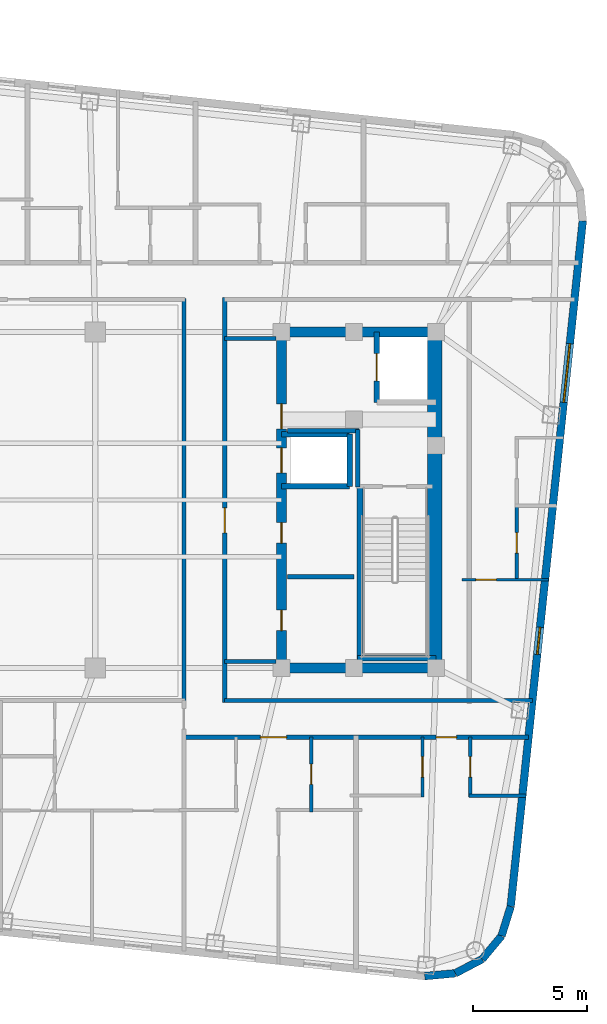
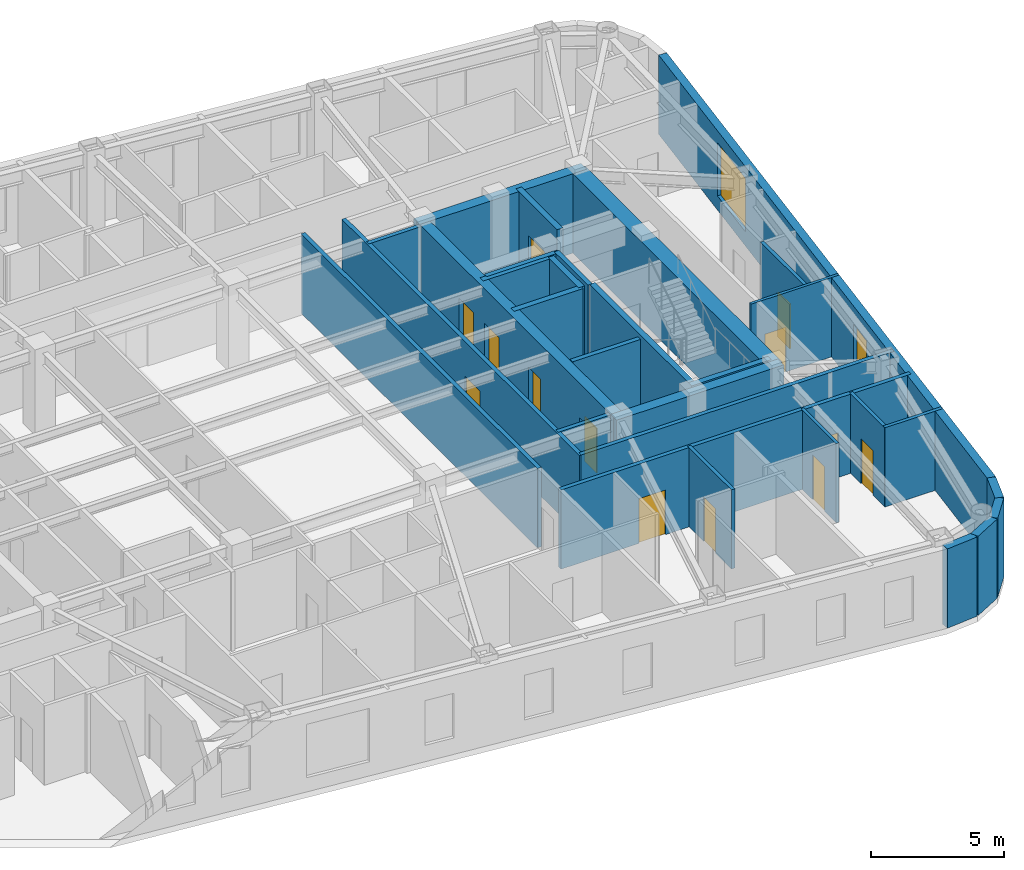
# One storey, part 6 of 11: 30 walls, 13 doors, 2 windows, 15 openings.
"""IFC4 building model written with IfcOpenShell, lengths in metres."""

import ifcopenshell
import ifcopenshell.guid

model = None  # the IFC model being written
_history = None  # IfcOwnerHistory: only IFC2X3 demands one
_inside = {}  # id of a spatial element -> (the spatial element, [elements in it])
_under = {}  # id of a project, library or spatial element -> (it, [spatial elements below it])
_declared = {}  # id of a project -> (the project, [libraries it declares])
_typed = {}  # id of a type object -> (the type object, [elements of that type])
_made_of = {}  # id of a material, layer set ... -> (it, [elements and type objects made of it])


def new_model(schema):
    """Start an empty IFC model of exactly this schema.

    Asked for "IFC4X3", IfcOpenShell would pick the latest addendum, in which some entities
    have other attributes; the version numbers below select the first issue.
    IFC2X3 requires an IfcOwnerHistory on every rooted entity: one is made here for all.
    """
    global model, _history
    if schema == "IFC4X3":
        model = ifcopenshell.file(schema_version=(4, 3, 0, 0))
    else:
        model = ifcopenshell.file(schema=schema)
    _inside.clear()
    _under.clear()
    _declared.clear()
    _typed.clear()
    _made_of.clear()
    _history = None
    if model.schema == "IFC2X3":
        org = make("IfcOrganization", Name="unknown")
        user = make(
            "IfcPersonAndOrganization",
            ThePerson=make("IfcPerson", FamilyName="unknown"),
            TheOrganization=org,
        )
        app = make(
            "IfcApplication",
            ApplicationDeveloper=org,
            Version="unknown",
            ApplicationFullName="unknown",
            ApplicationIdentifier="unknown",
        )
        _history = make(
            "IfcOwnerHistory",
            OwningUser=user,
            OwningApplication=app,
            ChangeAction="ADDED",
            CreationDate=0,
        )
    return model


def make(cls, **values):
    """One entity of the class cls with the attributes given. An attribute that is None is left unset."""
    return model.create_entity(
        cls, **{name: value for name, value in values.items() if value is not None}
    )


def rooted(cls, **values):
    """An entity with a GlobalId (a new one), such as an element, a storey or a relation."""
    return make(cls, GlobalId=ifcopenshell.guid.new(), OwnerHistory=_history, **values)


def si_unit(unit_type, name, prefix=None):
    """IfcSIUnit, for example si_unit("LENGTHUNIT", "METRE", prefix="MILLI")."""
    return make("IfcSIUnit", UnitType=unit_type, Prefix=prefix, Name=name)


def assignment(units):
    """IfcUnitAssignment: the units of a project."""
    return None if units is None else make("IfcUnitAssignment", Units=units)


def point(xyz):
    """IfcCartesianPoint."""
    return None if xyz is None else make("IfcCartesianPoint", Coordinates=xyz)


def direction(xyz):
    """IfcDirection."""
    return None if xyz is None else make("IfcDirection", DirectionRatios=xyz)


def frame(location, z_axis=None, x_axis=None):
    """IfcAxis2Placement3D, a coordinate frame: its origin and axes. An axis left out is left unset."""
    return make(
        "IfcAxis2Placement3D",
        Location=point(location),
        Axis=direction(z_axis),
        RefDirection=direction(x_axis),
    )


def frame_2d(location, x_axis=None):
    """IfcAxis2Placement2D, a coordinate frame in the plane: its origin and x axis."""
    return make(
        "IfcAxis2Placement2D", Location=point(location), RefDirection=direction(x_axis)
    )


def origin():
    """The frame at (0, 0, 0) with its axes left unset."""
    return frame((0.0, 0.0, 0.0))


def place(relative_to, where):
    """IfcLocalPlacement: puts the frame where relative to a parent placement (None: the world)."""
    return make(
        "IfcLocalPlacement", PlacementRelTo=relative_to, RelativePlacement=where
    )


def context(
    kind, dimensions, precision=None, world=None, true_north=None, identifier=None
):
    """IfcGeometricRepresentationContext, for example the 3D "Model" context."""
    return make(
        "IfcGeometricRepresentationContext",
        ContextIdentifier=identifier,
        ContextType=kind,
        CoordinateSpaceDimension=dimensions,
        Precision=precision,
        WorldCoordinateSystem=world,
        TrueNorth=true_north,
    )


def subcontext(parent, identifier, kind, view, scale=None):
    """IfcGeometricRepresentationSubContext, for example "Body" below "Model"."""
    return make(
        "IfcGeometricRepresentationSubContext",
        ContextIdentifier=identifier,
        ContextType=kind,
        ParentContext=parent,
        TargetScale=scale,
        TargetView=view,
    )


def project(units=None, contexts=None):
    """IfcProject with its units and contexts."""
    return rooted(
        "IfcProject",
        Name="project",
        RepresentationContexts=contexts,
        UnitsInContext=assignment(units),
    )


def spatial(cls, under=None, at=None, **own):
    """A site, building, storey or space (cls), placed at a placement, below another one or the project."""
    s = rooted(cls, ObjectPlacement=at, **own)
    if under is not None:
        _under.setdefault(under.id(), (under, []))[1].append(s)
    return s


def profile(cls, at=None, kind="AREA", **sizes):
    """A parametric profile (cls). Its sizes go by their IFC names, for example OverallWidth=200.0."""
    return make(cls, ProfileType=kind, Position=at, **sizes)


def rectangle(**sizes):
    """IfcRectangleProfileDef."""
    return profile("IfcRectangleProfileDef", **sizes)


def extrude(swept, where, along, depth):
    """IfcExtrudedAreaSolid: the profile swept, set in the frame where, extruded along a direction by depth."""
    return make(
        "IfcExtrudedAreaSolid",
        SweptArea=swept,
        Position=where,
        ExtrudedDirection=direction(along),
        Depth=depth,
    )


def shape(context_of_items, identifier, shape_type, items):
    """IfcShapeRepresentation: the items that make up one representation, for example the "Body"."""
    return make(
        "IfcShapeRepresentation",
        ContextOfItems=context_of_items,
        RepresentationIdentifier=identifier,
        RepresentationType=shape_type,
        Items=items,
    )


def material(Name=None, Category=None):
    """IfcMaterial."""
    return make("IfcMaterial", Name=Name, Category=Category)


def layer(
    of_material, thickness, ventilated=None, Name=None, Category=None, Priority=None
):
    """IfcMaterialLayer: one layer of a wall or slab, of a material (None: an air gap)."""
    return make(
        "IfcMaterialLayer",
        Material=of_material,
        LayerThickness=thickness,
        IsVentilated=ventilated,
        Name=Name,
        Category=Category,
        Priority=Priority,
    )


def layer_set(layers, Name=None):
    """IfcMaterialLayerSet."""
    return make("IfcMaterialLayerSet", MaterialLayers=layers, LayerSetName=Name)


def made_of(thing, what):
    """Note that an element or type object is made of a material, layer set ...; save() writes the relation."""
    if what is not None:
        _made_of.setdefault(what.id(), (what, []))[1].append(thing)
    return thing


def type_object(cls, material=None, **own):
    """A type object (cls), such as IfcWallType, which elements share."""
    return made_of(rooted(cls, **own), material)


def element(
    cls,
    number,
    at=None,
    inside=None,
    cuts=None,
    type_object=None,
    material=None,
    context=None,
    identifier="Body",
    shape_type=None,
    held_by="IfcProductDefinitionShape",
    body=None,
    shapes=None,
    **own,
):
    """One element of the class cls, such as IfcWall. Its Tag is "e" and its number.

    at: its placement. inside: the storey or other place that contains it. cuts: it is an
    opening in that element (IfcRelVoidsElement). A single representation is given by context,
    identifier, shape_type and body (its items); several are given by shapes. held_by: the class
    of the entity that holds the representations. save() writes the other relations.
    """
    e = rooted(cls, Tag="e%d" % number, ObjectPlacement=at, **own)
    if body is not None:
        shapes = [shape(context, identifier, shape_type, body)]
    if shapes is not None:
        e.Representation = make(held_by, Representations=shapes)
    if inside is not None:
        _inside.setdefault(inside.id(), (inside, []))[1].append(e)
    if cuts is not None:
        rooted(
            "IfcRelVoidsElement", RelatingBuildingElement=cuts, RelatedOpeningElement=e
        )
    if type_object is not None:
        _typed.setdefault(type_object.id(), (type_object, []))[1].append(e)
    return made_of(e, material)


def fill(opening, filler):
    """IfcRelFillsElement: the door or window that sits in an opening."""
    return rooted(
        "IfcRelFillsElement",
        RelatingOpeningElement=opening,
        RelatedBuildingElement=filler,
    )


def aggregate(whole, parts):
    """IfcRelAggregates: a whole, such as a stair, and the parts it consists of."""
    return rooted("IfcRelAggregates", RelatingObject=whole, RelatedObjects=parts)


def save(model, path):
    """Write the relations noted so far, then the file.

    IfcRelAggregates (storeys below a building ...), IfcRelContainedInSpatialStructure (elements
    in a storey), IfcRelDefinesByType, IfcRelAssociatesMaterial and IfcRelDeclares: one each for
    every whole, place, type object, material and project.
    """
    for whole, parts in _under.values():
        aggregate(whole, parts)
    for where, things in _inside.values():
        rooted(
            "IfcRelContainedInSpatialStructure",
            RelatedElements=things,
            RelatingStructure=where,
        )
    for kind, things in _typed.values():
        rooted("IfcRelDefinesByType", RelatedObjects=things, RelatingType=kind)
    for what, things in _made_of.values():
        rooted("IfcRelAssociatesMaterial", RelatedObjects=things, RelatingMaterial=what)
    for by, libraries in _declared.values():
        rooted("IfcRelDeclares", RelatingContext=by, RelatedDefinitions=libraries)
    model.write(path)


model = new_model("IFC4")

# Units and contexts
model_context = context("Model", 3, precision=1e-05, world=origin(), true_north=direction((0.0, 1.0)))
body_context = subcontext(model_context, "Body", "Model", "MODEL_VIEW")
ifc_project = project(units=[si_unit("LENGTHUNIT", "METRE"), si_unit("AREAUNIT", "SQUARE_METRE"), si_unit("VOLUMEUNIT", "CUBIC_METRE"), si_unit("PLANEANGLEUNIT", "RADIAN"), si_unit("MASSUNIT", "GRAM", prefix="KILO")], contexts=[model_context])

# Site, building, storey
site_placement = place(None, origin())
site = spatial("IfcSite", under=ifc_project, at=site_placement, CompositionType="ELEMENT")
building_placement = place(site_placement, origin())
building = spatial("IfcBuilding", under=site, at=building_placement, Name="Voryun Gate Residences", CompositionType="ELEMENT")
storey_placement = place(building_placement, frame((0.0, 0.0, 302.89990234375)))
storey = spatial("IfcBuildingStorey", under=building, at=storey_placement, Name="L75", CompositionType="ELEMENT", Elevation=302.89990234375)

# Walls
ifc_material_1 = material(Name="Concrete C50/60", Category="concrete")
ifc_layer_1 = layer(ifc_material_1, 0.449951171875, Name="CW_CORE_450")
ifc_layer_set_1 = layer_set([ifc_layer_1], Name="Concrete C50/60")
wall_type_1 = type_object("IfcWallType", Name="CW_CORE_450", PredefinedType="SHEAR", material=ifc_layer_set_1)
for number, where, z_axis, x_axis, name in (
    (1, (12.175048828125, -7.39990234375, 0.0), (0.0, 0.0, 1.0), (1.0, 0.0, 0.0), "L75 Core shear wall CW-L75-ES"),
    (2, (12.175048828125, 7.39990234375, 0.0), (0.0, 0.0, 1.0), (1.0, 0.0, 0.0), "L75 Core shear wall CW-L75-EN"),
):
    element("IfcWall", number, at=place(storey_placement, frame(where, z_axis=z_axis, x_axis=x_axis)), inside=storey, type_object=wall_type_1, Name=name, PredefinedType="SHEAR", context=body_context, shape_type="SweptSolid", body=[
        extrude(rectangle(XDim=7.25, YDim=0.449951171875, at=frame_2d((3.625, 0.0))), origin(), (0.0, 0.0, 1.0), 3.635009765625),
    ])

# Wall, openings, doors
wall_1_placement = place(storey_placement, frame((12.39990234375, -7.39990234375, 0.0), z_axis=(0.0, 0.0, 1.0), x_axis=(0.0, 1.0, 0.0)))
wall_1 = element("IfcWall", 3, at=wall_1_placement, inside=storey, type_object=wall_type_1, Name="L75 Core shear wall CW-L75-EW", PredefinedType="SHEAR", context=body_context, shape_type="SweptSolid", body=[
    extrude(rectangle(XDim=14.7998046875, YDim=0.449951171875, at=frame_2d((7.39990234375, 0.0))), origin(), (0.0, 0.0, 1.0), 3.635009765625),
])
opening_1_placement = place(wall_1_placement, frame((8.60009765625, 0.0, 0.0)))
opening_1 = element("IfcOpeningElement", 4, at=opening_1_placement, cuts=wall_1, Name="Opening LD2", PredefinedType="OPENING", context=body_context, shape_type="SweptSolid", body=[
    extrude(rectangle(XDim=1.10009765625, YDim=2.050048828125, at=frame_2d((0.550048828125, 1.02490234375))), frame((0.0, 0.235107421875, 0.0), z_axis=(0.0, -1.0, 0.0), x_axis=(1.0, 0.0, 0.0)), (0.0, 0.0, 1.0), 0.469970703125),
])
opening_2_placement = place(wall_1_placement, frame((10.530029296875, 0.0, 0.0)))
opening_2 = element("IfcOpeningElement", 5, at=opening_2_placement, cuts=wall_1, Name="Opening D-FD60-2", PredefinedType="OPENING", context=body_context, shape_type="SweptSolid", body=[
    extrude(rectangle(XDim=1.10009765625, YDim=2.050048828125, at=frame_2d((0.550048828125, 1.02490234375))), frame((0.0, 0.235107421875, 0.0), z_axis=(0.0, -1.0, 0.0), x_axis=(1.0, 0.0, 0.0)), (0.0, 0.0, 1.0), 0.469970703125),
])
opening_3_placement = place(wall_1_placement, frame((1.64990234375, 0.0, 0.0)))
opening_3 = element("IfcOpeningElement", 6, at=opening_3_placement, cuts=wall_1, Name="Opening D-FD60-4", PredefinedType="OPENING", context=body_context, shape_type="SweptSolid", body=[
    extrude(rectangle(XDim=0.89990234375, YDim=2.050048828125, at=frame_2d((0.449951171875, 1.02490234375))), frame((0.0, 0.235107421875, 0.0), z_axis=(0.0, -1.0, 0.0), x_axis=(1.0, 0.0, 0.0)), (0.0, 0.0, 1.0), 0.469970703125),
])
opening_4_placement = place(wall_1_placement, frame((5.5, 0.0, 0.0)))
opening_4 = element("IfcOpeningElement", 7, at=opening_4_placement, cuts=wall_1, Name="Opening D-FD60-4", PredefinedType="OPENING", context=body_context, shape_type="SweptSolid", body=[
    extrude(rectangle(XDim=0.89990234375, YDim=2.050048828125, at=frame_2d((0.449951171875, 1.02490234375))), frame((0.0, 0.235107421875, 0.0), z_axis=(0.0, -1.0, 0.0), x_axis=(1.0, 0.0, 0.0)), (0.0, 0.0, 1.0), 0.469970703125),
])
ifc_material_2 = material(Name="Painted steel fire door", Category="steel")
door_type_1 = type_object("IfcDoorType", Name="DR_FD60_FFLOB_1100", OperationType="NOTDEFINED", PredefinedType="DOOR", material=ifc_material_2)
door_1_placement = place(opening_2_placement, origin())
door_1 = element("IfcDoor", 8, at=door_1_placement, inside=storey, type_object=door_type_1, Name="Door DR-L75-CLOB-E", OperationType="SINGLE_SWING_RIGHT", OverallHeight=2.050048828125, OverallWidth=1.10009765625, PredefinedType="DOOR", context=body_context, shape_type="SweptSolid", body=[
    extrude(rectangle(XDim=1.10009765625, YDim=2.050048828125, at=frame_2d((0.550048828125, 1.02490234375))), frame((0.0, 0.02490234375, 0.0), z_axis=(0.0, -1.0, 0.0), x_axis=(1.0, 0.0, 0.0)), (0.0, 0.0, 1.0), 0.050048828125),
])
fill(opening_2, door_1)
ifc_material_3 = material(Name="Painted steel fire door", Category="steel")
door_type_2 = type_object("IfcDoorType", Name="DR_FD60_RISER_900", OperationType="NOTDEFINED", PredefinedType="DOOR", material=ifc_material_3)
door_2_placement = place(opening_3_placement, origin())
door_2 = element("IfcDoor", 9, at=door_2_placement, inside=storey, type_object=door_type_2, Name="Door DR-L75-RECE-HIS", OperationType="SINGLE_SWING_RIGHT", OverallHeight=2.050048828125, OverallWidth=0.89990234375, PredefinedType="DOOR", context=body_context, shape_type="SweptSolid", body=[
    extrude(rectangle(XDim=0.89990234375, YDim=2.050048828125, at=frame_2d((0.449951171875, 1.02490234375))), frame((0.0, 0.02490234375, 0.0), z_axis=(0.0, -1.0, 0.0), x_axis=(1.0, 0.0, 0.0)), (0.0, 0.0, 1.0), 0.050048828125),
])
fill(opening_3, door_2)
door_3_placement = place(opening_4_placement, origin())
door_3 = element("IfcDoor", 10, at=door_3_placement, inside=storey, type_object=door_type_2, Name="Door DR-L75-RECE-HIN", OperationType="SINGLE_SWING_LEFT", OverallHeight=2.050048828125, OverallWidth=0.89990234375, PredefinedType="DOOR", context=body_context, shape_type="SweptSolid", body=[
    extrude(rectangle(XDim=0.89990234375, YDim=2.050048828125, at=frame_2d((0.449951171875, 1.02490234375))), frame((0.0, 0.02490234375, 0.0), z_axis=(0.0, -1.0, 0.0), x_axis=(1.0, 0.0, 0.0)), (0.0, 0.0, 1.0), 0.050048828125),
])
fill(opening_4, door_3)
ifc_material_4 = material(Name="Anodised aluminium", Category="aluminium")
door_type_3 = type_object("IfcDoorType", Name="DR_LD_PASS_1100", OperationType="NOTDEFINED", PredefinedType="DOOR", material=ifc_material_4)
door_4_placement = place(opening_1_placement, origin())
door_4 = element("IfcDoor", 11, at=door_4_placement, inside=storey, type_object=door_type_3, Name="Lift EL-P8 sliding landing door L75", OperationType="SLIDING_TO_LEFT", OverallHeight=2.050048828125, OverallWidth=1.10009765625, PredefinedType="DOOR", context=body_context, shape_type="SweptSolid", body=[
    extrude(rectangle(XDim=1.10009765625, YDim=2.050048828125, at=frame_2d((0.550048828125, 1.02490234375))), frame((0.0, 0.02490234375, 0.0), z_axis=(0.0, -1.0, 0.0), x_axis=(1.0, 0.0, 0.0)), (0.0, 0.0, 1.0), 0.050048828125),
])
fill(opening_1, door_4)

# Walls
ifc_material_5 = material(Name="Concrete C60/75", Category="concrete")
ifc_layer_2 = layer(ifc_material_5, 0.64990234375, Name="CW_CORE_650")
ifc_layer_set_2 = layer_set([ifc_layer_2], Name="Concrete C60/75")
wall_type_2 = type_object("IfcWallType", Name="CW_CORE_650", PredefinedType="SHEAR", material=ifc_layer_set_2)
wall_2_placement = place(storey_placement, frame((19.14501953125, -7.39990234375, 0.0), z_axis=(0.0, 0.0, 1.0), x_axis=(0.0, 1.0, 0.0)))
element("IfcWall", 12, at=wall_2_placement, inside=storey, type_object=wall_type_2, Name="L75 Core shear wall CW-L75-EE", PredefinedType="SHEAR", context=body_context, shape_type="SweptSolid", body=[
    extrude(rectangle(XDim=14.7998046875, YDim=0.64990234375, at=frame_2d((7.39990234375, 0.0))), origin(), (0.0, 0.0, 1.0), 3.635009765625),
])
ifc_material_6 = material(Name="Gypsum acoustic fireboard")
ifc_layer_3 = layer(ifc_material_6, 0.179931640625, Name="W_CORR_RATED_180")
ifc_layer_set_3 = layer_set([ifc_layer_3], Name="Gypsum acoustic fireboard")
wall_type_3 = type_object("IfcWallType", Name="W_CORR_RATED_180", PredefinedType="PARTITIONING", material=ifc_layer_set_3)
for number, where, z_axis, x_axis, name in (
    (13, (9.8798828125, 7.1201171875, 0.0), (0.0, 0.0, 1.0), (1.0, 0.0, 0.0), "Partition wall WP-L75-PLBN-E"),
    (14, (9.8798828125, -7.1201171875, 0.0), (0.0, 0.0, 1.0), (1.0, 0.0, 0.0), "Partition wall WP-L75-PLBS-E"),
):
    element("IfcWall", number, at=place(storey_placement, frame(where, z_axis=z_axis, x_axis=x_axis)), inside=storey, type_object=wall_type_3, Name=name, PredefinedType="PARTITIONING", context=body_context, shape_type="SweptSolid", body=[
        extrude(rectangle(XDim=2.27001953125, YDim=0.179931640625, at=frame_2d((1.135009765625, 0.0))), origin(), (0.0, 0.0, 1.0), 3.635009765625),
    ])

# Wall, opening, door
wall_3_placement = place(storey_placement, frame((9.89990234375, -8.929931640625, 0.0), z_axis=(0.0, 0.0, 1.0), x_axis=(0.0, 1.0, 0.0)))
wall_3 = element("IfcWall", 15, at=wall_3_placement, inside=storey, type_object=wall_type_3, Name="Partition wall WP-L75-PLBE-FULL", PredefinedType="PARTITIONING", context=body_context, shape_type="SweptSolid", body=[
    extrude(rectangle(XDim=17.85986328125, YDim=0.179931640625, at=frame_2d((8.929931640625, 0.0))), origin(), (0.0, 0.0, 1.0), 3.635009765625),
])
opening_5_placement = place(wall_3_placement, frame((7.487060546875, 0.0, 0.0)))
opening_5 = element("IfcOpeningElement", 16, at=opening_5_placement, cuts=wall_3, Name="Opening D-FD60-2", PredefinedType="OPENING", context=body_context, shape_type="SweptSolid", body=[
    extrude(rectangle(XDim=1.10009765625, YDim=2.050048828125, at=frame_2d((0.550048828125, 1.02490234375))), frame((0.0, 0.099853515625, 0.0), z_axis=(0.0, -1.0, 0.0), x_axis=(1.0, 0.0, 0.0)), (0.0, 0.0, 1.0), 0.199951171875),
])
door_5_placement = place(opening_5_placement, origin())
door_5 = element("IfcDoor", 17, at=door_5_placement, inside=storey, type_object=door_type_1, Name="Door DR-L75-PLBE-COR", OperationType="SINGLE_SWING_RIGHT", OverallHeight=2.050048828125, OverallWidth=1.10009765625, PredefinedType="DOOR", context=body_context, shape_type="SweptSolid", body=[
    extrude(rectangle(XDim=1.10009765625, YDim=2.050048828125, at=frame_2d((0.550048828125, 1.02490234375))), frame((0.0, 0.02490234375, 0.0), z_axis=(0.0, -1.0, 0.0), x_axis=(1.0, 0.0, 0.0)), (0.0, 0.0, 1.0), 0.050048828125),
])
fill(opening_5, door_5)

# Walls
wall_4_placement = place(storey_placement, frame((9.8798828125, -8.840087890625, 0.0), z_axis=(0.0, 0.0, 1.0), x_axis=(1.0, 0.0, 0.0)))
element("IfcWall", 18, at=wall_4_placement, inside=storey, type_object=wall_type_3, Name="Partition wall WP-L75-CWING-ES", PredefinedType="PARTITIONING", context=body_context, shape_type="SweptSolid", body=[
    extrude(rectangle(XDim=13.56884765625, YDim=0.179931640625, at=frame_2d((6.784423828125, 0.0))), origin(), (0.0, 0.0, 1.0), 3.635009765625),
])
wall_5_placement = place(storey_placement, frame((8.10009765625, -8.8798828125, 0.0), z_axis=(0.0, 0.0, 1.0), x_axis=(0.0, 1.0, 0.0)))
element("IfcWall", 19, at=wall_5_placement, inside=storey, type_object=wall_type_3, Name="Partition wall WP-L75-Z3E", PredefinedType="PARTITIONING", context=body_context, shape_type="SweptSolid", body=[
    extrude(rectangle(XDim=17.759765625, YDim=0.179931640625, at=frame_2d((8.8798828125, 0.0))), origin(), (0.0, 0.0, 1.0), 3.635009765625),
])

# Wall, openings, doors
wall_6_placement = place(storey_placement, frame((8.080078125, -10.449951171875, 0.0), z_axis=(0.0, 0.0, 1.0), x_axis=(1.0, 0.0, 0.0)))
wall_6 = element("IfcWall", 20, at=wall_6_placement, inside=storey, type_object=wall_type_3, Name="Partition wall WP-L75-SCORR-E", PredefinedType="PARTITIONING", context=body_context, shape_type="SweptSolid", body=[
    extrude(rectangle(XDim=15.19921875, YDim=0.179931640625, at=frame_2d((7.599609375, 0.0))), origin(), (0.0, 0.0, 1.0), 3.635009765625),
])
opening_6_placement = place(wall_6_placement, frame((3.390380859375, 0.0, 0.0)))
opening_6 = element("IfcOpeningElement", 21, at=opening_6_placement, cuts=wall_6, Name="Opening D-UNIT-1", PredefinedType="OPENING", context=body_context, shape_type="SweptSolid", body=[
    extrude(rectangle(XDim=1.14990234375, YDim=2.050048828125, at=frame_2d((0.574951171875, 1.02490234375))), frame((0.0, 0.099853515625, 0.0), z_axis=(0.0, -1.0, 0.0), x_axis=(1.0, 0.0, 0.0)), (0.0, 0.0, 1.0), 0.199951171875),
])
opening_7_placement = place(wall_6_placement, frame((11.133544921875, 0.0, 0.0)))
opening_7 = element("IfcOpeningElement", 22, at=opening_7_placement, cuts=wall_6, Name="Opening D-INT-2", PredefinedType="OPENING", context=body_context, shape_type="SweptSolid", body=[
    extrude(rectangle(XDim=0.89990234375, YDim=2.050048828125, at=frame_2d((0.449951171875, 1.02490234375))), frame((0.0, 0.099853515625, 0.0), z_axis=(0.0, -1.0, 0.0), x_axis=(1.0, 0.0, 0.0)), (0.0, 0.0, 1.0), 0.199951171875),
])
ifc_material_7 = material(Name="Architectural oak veneer")
door_type_4 = type_object("IfcDoorType", Name="DR_INT_BATH_900", OperationType="NOTDEFINED", PredefinedType="DOOR", material=ifc_material_7)
door_6_placement = place(opening_7_placement, origin())
door_6 = element("IfcDoor", 23, at=door_6_placement, inside=storey, type_object=door_type_4, Name="Door DR-L75-SENT-7", OperationType="SINGLE_SWING_RIGHT", OverallHeight=2.050048828125, OverallWidth=0.89990234375, PredefinedType="DOOR", context=body_context, shape_type="SweptSolid", body=[
    extrude(rectangle(XDim=0.89990234375, YDim=2.050048828125, at=frame_2d((0.449951171875, 1.02490234375))), frame((0.0, 0.02490234375, 0.0), z_axis=(0.0, -1.0, 0.0), x_axis=(1.0, 0.0, 0.0)), (0.0, 0.0, 1.0), 0.050048828125),
])
fill(opening_7, door_6)
ifc_material_8 = material(Name="Armoured timber-clad fire door", Category="wood")
door_type_5 = type_object("IfcDoorType", Name="DR_UNIT_ENTRY_1150", OperationType="NOTDEFINED", PredefinedType="DOOR", material=ifc_material_8)
door_7_placement = place(opening_6_placement, origin())
door_7 = element("IfcDoor", 24, at=door_7_placement, inside=storey, type_object=door_type_5, Name="Door DR-L75-SENT-6", OperationType="SINGLE_SWING_LEFT", OverallHeight=2.050048828125, OverallWidth=1.14990234375, PredefinedType="DOOR", context=body_context, shape_type="SweptSolid", body=[
    extrude(rectangle(XDim=1.14990234375, YDim=2.050048828125, at=frame_2d((0.574951171875, 1.02490234375))), frame((0.0, 0.02490234375, 0.0), z_axis=(0.0, -1.0, 0.0), x_axis=(1.0, 0.0, 0.0)), (0.0, 0.0, 1.0), 0.050048828125),
])
fill(opening_6, door_7)

# Wall, openings, windows
ifc_material_9 = material(Name="Charcoal terracotta masonry", Category="masonry")
ifc_layer_4 = layer(ifc_material_9, 0.340087890625, Name="W_EXT_TERRACOTTA_340")
ifc_layer_set_4 = layer_set([ifc_layer_4], Name="Charcoal terracotta masonry")
wall_type_4 = type_object("IfcWallType", Name="W_EXT_TERRACOTTA_340", PredefinedType="ELEMENTEDWALL", material=ifc_layer_set_4)
wall_7_placement = place(storey_placement, frame((25.670166015625, 12.295654296875, 0.0), z_axis=(0.0, 0.0, 1.0), x_axis=(-0.104533282919, -0.994521388791, 0.0)))
wall_7 = element("IfcWall", 25, at=wall_7_placement, inside=storey, type_object=wall_type_4, Name="Exterior wall WEXT-L75-16", PredefinedType="ELEMENTEDWALL", context=body_context, shape_type="SweptSolid", body=[
    extrude(rectangle(XDim=30.366455078125, YDim=0.340087890625, at=frame_2d((15.18310546875, 0.0))), origin(), (0.0, 0.0, 1.0), 3.635009765625),
])
opening_8_placement = place(wall_7_placement, frame((5.441650390625, 0.0, 0.64990234375)))
opening_8 = element("IfcOpeningElement", 26, at=opening_8_placement, cuts=wall_7, Name="Opening WN4", PredefinedType="OPENING", context=body_context, shape_type="SweptSolid", body=[
    extrude(rectangle(XDim=2.60009765625, YDim=2.449951171875, at=frame_2d((1.300048828125, 1.22509765625))), frame((0.0, 0.179931640625, 0.0), z_axis=(0.0, -1.0, 0.0), x_axis=(1.0, 0.0, 0.0)), (0.0, 0.0, 1.0), 0.360107421875),
])
opening_9_placement = place(wall_7_placement, frame((18.0048828125, 0.0, 0.75)))
opening_9 = element("IfcOpeningElement", 27, at=opening_9_placement, cuts=wall_7, Name="Opening WN6", PredefinedType="OPENING", context=body_context, shape_type="SweptSolid", body=[
    extrude(rectangle(XDim=1.199951171875, YDim=2.050048828125, at=frame_2d((0.60009765625, 1.02490234375))), frame((0.0, 0.179931640625, 0.0), z_axis=(0.0, -1.0, 0.0), x_axis=(1.0, 0.0, 0.0)), (0.0, 0.0, 1.0), 0.360107421875),
])
ifc_material_10 = material(Name="Laminated low-E glass", Category="glass")
window_type_1 = type_object("IfcWindowType", Name="WN_PENT_TALL_2600", PartitioningType="SINGLE_PANEL", PredefinedType="WINDOW", material=ifc_material_10)
window_1_placement = place(opening_8_placement, origin())
window_1 = element("IfcWindow", 28, at=window_1_placement, inside=storey, type_object=window_type_1, Name="Window WN-WEXT-L75-16-01", OverallHeight=2.449951171875, OverallWidth=2.60009765625, PartitioningType="SINGLE_PANEL", PredefinedType="WINDOW", context=body_context, shape_type="SweptSolid", body=[
    extrude(rectangle(XDim=2.60009765625, YDim=2.449951171875, at=frame_2d((1.300048828125, 1.22509765625))), frame((0.0, 0.030029296875, 0.0), z_axis=(0.0, -1.0, 0.0), x_axis=(1.0, 0.0, 0.0)), (0.0, 0.0, 1.0), 0.06005859375),
])
fill(opening_8, window_1)
ifc_material_11 = material(Name="Laminated low-E glass", Category="glass")
window_type_2 = type_object("IfcWindowType", Name="WN_POD_SLOT_1200", PartitioningType="SINGLE_PANEL", PredefinedType="WINDOW", material=ifc_material_11)
window_2_placement = place(opening_9_placement, origin())
window_2 = element("IfcWindow", 29, at=window_2_placement, inside=storey, type_object=window_type_2, Name="Window WN-L75-DWFIX-24", OverallHeight=2.050048828125, OverallWidth=1.199951171875, PartitioningType="SINGLE_PANEL", PredefinedType="WINDOW", context=body_context, shape_type="SweptSolid", body=[
    extrude(rectangle(XDim=1.199951171875, YDim=2.050048828125, at=frame_2d((0.60009765625, 1.02490234375))), frame((0.0, 0.030029296875, 0.0), z_axis=(0.0, -1.0, 0.0), x_axis=(1.0, 0.0, 0.0)), (0.0, 0.0, 1.0), 0.06005859375),
])
fill(opening_9, window_2)

# Walls
wall_8_placement = place(storey_placement, frame((22.495849609375, -17.904541015625, 0.0), z_axis=(0.0, 0.0, 1.0), x_axis=(-0.296416228123, -0.955058856671, 0.0)))
element("IfcWall", 30, at=wall_8_placement, inside=storey, type_object=wall_type_4, Name="Exterior wall WEXT-L75-17", PredefinedType="ELEMENTEDWALL", context=body_context, shape_type="SweptSolid", body=[
    extrude(rectangle(XDim=1.35400390625, YDim=0.340087890625, at=frame_2d((0.677001953125, 0.0))), origin(), (0.0, 0.0, 1.0), 3.635009765625),
])
wall_9_placement = place(storey_placement, frame((22.094482421875, -19.19775390625, 0.0), z_axis=(0.0, 0.0, 1.0), x_axis=(-0.639501603217, -0.768789762863, 0.0)))
element("IfcWall", 31, at=wall_9_placement, inside=storey, type_object=wall_type_4, Name="Exterior wall WEXT-L75-18", PredefinedType="ELEMENTEDWALL", context=body_context, shape_type="SweptSolid", body=[
    extrude(rectangle(XDim=1.3369140625, YDim=0.340087890625, at=frame_2d((0.66845703125, 0.0))), origin(), (0.0, 0.0, 1.0), 3.635009765625),
])
wall_10_placement = place(storey_placement, frame((21.239501953125, -20.2255859375, 0.0), z_axis=(0.0, 0.0, 1.0), x_axis=(-0.884922182678, -0.465738908193, 0.0)))
element("IfcWall", 32, at=wall_10_placement, inside=storey, type_object=wall_type_4, Name="Exterior wall WEXT-L75-19", PredefinedType="ELEMENTEDWALL", context=body_context, shape_type="SweptSolid", body=[
    extrude(rectangle(XDim=1.337158203125, YDim=0.340087890625, at=frame_2d((0.66845703125, 0.0))), origin(), (0.0, 0.0, 1.0), 3.635009765625),
])
wall_11_placement = place(storey_placement, frame((20.05615234375, -20.848388671875, 0.0), z_axis=(0.0, 0.0, 1.0), x_axis=(-0.995813013343, -0.091413579172, 0.0)))
element("IfcWall", 33, at=wall_11_placement, inside=storey, type_object=wall_type_4, Name="Exterior wall WEXT-L75-20", PredefinedType="ELEMENTEDWALL", context=body_context, shape_type="SweptSolid", body=[
    extrude(rectangle(XDim=1.35400390625, YDim=0.340087890625, at=frame_2d((0.677001953125, 0.0))), origin(), (0.0, 0.0, 1.0), 3.635009765625),
])
ifc_material_12 = material(Name="Concrete C40/50", Category="concrete")
ifc_layer_5 = layer(ifc_material_12, 0.199951171875, Name="W_FF_LOBBY_200")
ifc_layer_set_5 = layer_set([ifc_layer_5], Name="Concrete C40/50")
wall_type_5 = type_object("IfcWallType", Name="W_FF_LOBBY_200", PredefinedType="PARTITIONING", material=ifc_layer_set_5)
wall_12_placement = place(storey_placement, frame((15.760009765625, 0.580078125, 0.0), z_axis=(0.0, 0.0, 1.0), x_axis=(0.0, 1.0, 0.0)))
element("IfcWall", 34, at=wall_12_placement, inside=storey, type_object=wall_type_5, Name="Partition wall WP-L75-FFP0-E", PredefinedType="PARTITIONING", context=body_context, shape_type="SweptSolid", body=[
    extrude(rectangle(XDim=2.52001953125, YDim=0.199951171875, at=frame_2d((1.260009765625, 0.0))), origin(), (0.0, 0.0, 1.0), 3.635009765625),
])
wall_13_placement = place(storey_placement, frame((12.659912109375, 3.06005859375, 0.0), z_axis=(0.0, 0.0, 1.0), x_axis=(1.0, 0.0, 0.0)))
element("IfcWall", 35, at=wall_13_placement, inside=storey, type_object=wall_type_5, Name="Partition wall WP-L75-FFPS-E", PredefinedType="PARTITIONING", context=body_context, shape_type="SweptSolid", body=[
    extrude(rectangle(XDim=3.16015625, YDim=0.199951171875, at=frame_2d((1.580078125, 0.0))), origin(), (0.0, 0.0, 1.0), 3.635009765625),
])
wall_14_placement = place(storey_placement, frame((12.659912109375, -3.389892578125, 0.0), z_axis=(0.0, 0.0, 1.0), x_axis=(1.0, 0.0, 0.0)))
element("IfcWall", 36, at=wall_14_placement, inside=storey, type_object=wall_type_5, Name="Partition wall WP-L75-RECEY-HI", PredefinedType="PARTITIONING", context=body_context, shape_type="SweptSolid", body=[
    extrude(rectangle(XDim=2.940185546875, YDim=0.199951171875, at=frame_2d((1.47021484375, 0.0))), origin(), (0.0, 0.0, 1.0), 3.635009765625),
])
ifc_material_13 = material(Name="Concrete C50/60", Category="concrete")
ifc_layer_6 = layer(ifc_material_13, 0.25, Name="W_SHAFT_RC250")
ifc_layer_set_6 = layer_set([ifc_layer_6], Name="Concrete C50/60")
wall_type_6 = type_object("IfcWallType", Name="W_SHAFT_RC250", PredefinedType="SOLIDWALL", material=ifc_layer_set_6)
wall_15_placement = place(storey_placement, frame((15.860107421875, -7.0849609375, 0.0), z_axis=(0.0, 0.0, 1.0), x_axis=(0.0, 1.0, 0.0)))
element("IfcWall", 37, at=wall_15_placement, inside=storey, type_object=wall_type_6, Name="L75 Stair shaft structural wall E-STL", PredefinedType="SOLIDWALL", context=body_context, shape_type="SweptSolid", body=[
    extrude(rectangle(XDim=7.68505859375, YDim=0.25, at=frame_2d((3.842529296875, 0.0))), origin(), (0.0, 0.0, 1.0), 3.635009765625),
])
wall_16_placement = place(storey_placement, frame((15.739990234375, -6.965087890625, 0.0), z_axis=(0.0, 0.0, 1.0), x_axis=(1.0, 0.0, 0.0)))
element("IfcWall", 38, at=wall_16_placement, inside=storey, type_object=wall_type_6, Name="L75 Stair shaft structural wall E-STS", PredefinedType="SOLIDWALL", context=body_context, shape_type="SweptSolid", body=[
    extrude(rectangle(XDim=3.4599609375, YDim=0.25, at=frame_2d((1.72998046875, 0.0))), origin(), (0.0, 0.0, 1.0), 3.635009765625),
])

# Wall, opening, door
wall_17_placement = place(storey_placement, frame((16.60009765625, 7.39990234375, 0.0), z_axis=(0.0, 0.0, 1.0), x_axis=(0.0, -1.0, 0.0)))
wall_17 = element("IfcWall", 39, at=wall_17_placement, inside=storey, type_object=wall_type_6, Name="Lift shaft wall WSH-L75-EL-FF-E1-W", PredefinedType="SOLIDWALL", context=body_context, shape_type="SweptSolid", body=[
    extrude(rectangle(XDim=3.099853515625, YDim=0.25, at=frame_2d((1.5498046875, 0.0))), origin(), (0.0, 0.0, 1.0), 3.635009765625),
])
opening_10_placement = place(wall_17_placement, frame((0.949951171875, 0.0, 0.0)))
opening_10 = element("IfcOpeningElement", 40, at=opening_10_placement, cuts=wall_17, Name="Opening LD1", PredefinedType="OPENING", context=body_context, shape_type="SweptSolid", body=[
    extrude(rectangle(XDim=1.199951171875, YDim=2.050048828125, at=frame_2d((0.60009765625, 1.02490234375))), frame((0.0, 0.135009765625, 0.0), z_axis=(0.0, -1.0, 0.0), x_axis=(1.0, 0.0, 0.0)), (0.0, 0.0, 1.0), 0.27001953125),
])
ifc_material_14 = material(Name="Anodised aluminium", Category="aluminium")
door_type_6 = type_object("IfcDoorType", Name="DR_LD_FF_1200", OperationType="NOTDEFINED", PredefinedType="DOOR", material=ifc_material_14)
door_8_placement = place(opening_10_placement, origin())
door_8 = element("IfcDoor", 41, at=door_8_placement, inside=storey, type_object=door_type_6, Name="Lift EL-FF-E1 sliding landing door L75", OperationType="SLIDING_TO_LEFT", OverallHeight=2.050048828125, OverallWidth=1.199951171875, PredefinedType="DOOR", context=body_context, shape_type="SweptSolid", body=[
    extrude(rectangle(XDim=1.199951171875, YDim=2.050048828125, at=frame_2d((0.60009765625, 1.02490234375))), frame((0.0, 0.02490234375, 0.0), z_axis=(0.0, -1.0, 0.0), x_axis=(1.0, 0.0, 0.0)), (0.0, 0.0, 1.0), 0.050048828125),
])
fill(opening_10, door_8)

# Walls
wall_18_placement = place(storey_placement, frame((12.39990234375, 0.60009765625, 0.0), z_axis=(0.0, 0.0, 1.0), x_axis=(1.0, 0.0, 0.0)))
element("IfcWall", 42, at=wall_18_placement, inside=storey, type_object=wall_type_6, Name="Lift shaft wall WSH-L75-EL-P8-S", PredefinedType="SOLIDWALL", context=body_context, shape_type="SweptSolid", body=[
    extrude(rectangle(XDim=3.0, YDim=0.25, at=frame_2d((1.5, 0.0))), origin(), (0.0, 0.0, 1.0), 3.635009765625),
])
wall_19_placement = place(storey_placement, frame((15.39990234375, 0.60009765625, 0.0), z_axis=(0.0, 0.0, 1.0), x_axis=(0.0, 1.0, 0.0)))
element("IfcWall", 43, at=wall_19_placement, inside=storey, type_object=wall_type_6, Name="Lift shaft wall WSH-L75-EL-P8-E", PredefinedType="SOLIDWALL", context=body_context, shape_type="SweptSolid", body=[
    extrude(rectangle(XDim=2.2998046875, YDim=0.25, at=frame_2d((1.14990234375, 0.0))), origin(), (0.0, 0.0, 1.0), 3.635009765625),
])
wall_20_placement = place(storey_placement, frame((15.39990234375, 2.89990234375, 0.0), z_axis=(0.0, 0.0, 1.0), x_axis=(-1.0, 0.0, 0.0)))
element("IfcWall", 44, at=wall_20_placement, inside=storey, type_object=wall_type_6, Name="Lift shaft wall WSH-L75-EL-P8-N", PredefinedType="SOLIDWALL", context=body_context, shape_type="SweptSolid", body=[
    extrude(rectangle(XDim=3.0, YDim=0.25, at=frame_2d((1.5, 0.0))), origin(), (0.0, 0.0, 1.0), 3.635009765625),
])

# Wall, opening, door
ifc_material_15 = material(Name="Gypsum acoustic partition")
ifc_layer_7 = layer(ifc_material_15, 0.125, Name="W_UNIT_PART_125")
ifc_layer_set_7 = layer_set([ifc_layer_7], Name="Gypsum acoustic partition")
wall_type_7 = type_object("IfcWallType", Name="W_UNIT_PART_125", PredefinedType="PARTITIONING", material=ifc_layer_set_7)
wall_21_placement = place(storey_placement, frame((18.60791015625, -13.080078125, 0.0), z_axis=(0.0, 0.0, 1.0), x_axis=(0.0, 1.0, 0.0)))
wall_21 = element("IfcWall", 45, at=wall_21_placement, inside=storey, type_object=wall_type_7, Name="Partition wall WP-L75-S7-CVK", PredefinedType="PARTITIONING", context=body_context, shape_type="SweptSolid", body=[
    extrude(rectangle(XDim=2.650146484375, YDim=0.125, at=frame_2d((1.3251953125, 0.0))), origin(), (0.0, 0.0, 1.0), 3.635009765625),
])
opening_11_placement = place(wall_21_placement, frame((0.875, 0.0, 0.0)))
opening_11 = element("IfcOpeningElement", 46, at=opening_11_placement, cuts=wall_21, Name="Opening D-INT-2", PredefinedType="OPENING", context=body_context, shape_type="SweptSolid", body=[
    extrude(rectangle(XDim=0.89990234375, YDim=2.050048828125, at=frame_2d((0.449951171875, 1.02490234375))), frame((0.0, 0.072509765625, 0.0), z_axis=(0.0, -1.0, 0.0), x_axis=(1.0, 0.0, 0.0)), (0.0, 0.0, 1.0), 0.14501953125),
])
door_9_placement = place(opening_11_placement, origin())
door_9 = element("IfcDoor", 47, at=door_9_placement, inside=storey, type_object=door_type_4, Name="Door DR-L75-S7-DK", OperationType="SINGLE_SWING_LEFT", OverallHeight=2.050048828125, OverallWidth=0.89990234375, PredefinedType="DOOR", context=body_context, shape_type="SweptSolid", body=[
    extrude(rectangle(XDim=0.89990234375, YDim=2.050048828125, at=frame_2d((0.449951171875, 1.02490234375))), frame((0.0, 0.02490234375, 0.0), z_axis=(0.0, -1.0, 0.0), x_axis=(1.0, 0.0, 0.0)), (0.0, 0.0, 1.0), 0.050048828125),
])
fill(opening_11, door_9)

wall_22_placement = place(storey_placement, frame((20.35009765625, -3.510009765625, 0.0), z_axis=(0.0, 0.0, 1.0), x_axis=(1.0, 0.0, 0.0)))
wall_22 = element("IfcWall", 48, at=wall_22_placement, inside=storey, type_object=wall_type_7, Name="Partition wall WP-L75-E1-HZ3", PredefinedType="PARTITIONING", context=body_context, shape_type="SweptSolid", body=[
    extrude(rectangle(XDim=3.8095703125, YDim=0.125, at=frame_2d((1.90478515625, 0.0))), origin(), (0.0, 0.0, 1.0), 3.635009765625),
])
opening_12_placement = place(wall_22_placement, frame((0.608154296875, 0.0, 0.0)))
opening_12 = element("IfcOpeningElement", 49, at=opening_12_placement, cuts=wall_22, Name="Opening D-INT-2", PredefinedType="OPENING", context=body_context, shape_type="SweptSolid", body=[
    extrude(rectangle(XDim=0.89990234375, YDim=2.050048828125, at=frame_2d((0.449951171875, 1.02490234375))), frame((0.0, 0.072509765625, 0.0), z_axis=(0.0, -1.0, 0.0), x_axis=(1.0, 0.0, 0.0)), (0.0, 0.0, 1.0), 0.14501953125),
])
door_10_placement = place(opening_12_placement, origin())
door_10 = element("IfcDoor", 50, at=door_10_placement, inside=storey, type_object=door_type_4, Name="Door DR-L75-E1-DMB", OperationType="SINGLE_SWING_LEFT", OverallHeight=2.050048828125, OverallWidth=0.89990234375, PredefinedType="DOOR", context=body_context, shape_type="SweptSolid", body=[
    extrude(rectangle(XDim=0.89990234375, YDim=2.050048828125, at=frame_2d((0.449951171875, 1.02490234375))), frame((0.0, 0.02490234375, 0.0), z_axis=(0.0, -1.0, 0.0), x_axis=(1.0, 0.0, 0.0)), (0.0, 0.0, 1.0), 0.050048828125),
])
fill(opening_12, door_10)

ifc_material_16 = material(Name="Gypsum moisture-resistant partition")
ifc_layer_8 = layer(ifc_material_16, 0.14990234375, Name="W_WET_PLUMB_150")
ifc_layer_set_8 = layer_set([ifc_layer_8], Name="Gypsum moisture-resistant partition")
wall_type_8 = type_object("IfcWallType", Name="W_WET_PLUMB_150", PredefinedType="PLUMBINGWALL", material=ifc_layer_set_8)
wall_23_placement = place(storey_placement, frame((13.701904296875, -13.73291015625, 0.0), z_axis=(0.0, 0.0, 1.0), x_axis=(0.0, 1.0, 0.0)))
wall_23 = element("IfcWall", 51, at=wall_23_placement, inside=storey, type_object=wall_type_8, Name="Partition wall WP-L75-S6-IVB", PredefinedType="PLUMBINGWALL", context=body_context, shape_type="SweptSolid", body=[
    extrude(rectangle(XDim=3.302978515625, YDim=0.14990234375, at=frame_2d((1.6513671875, 0.0))), origin(), (0.0, 0.0, 1.0), 3.635009765625),
])
opening_13_placement = place(wall_23_placement, frame((1.201416015625, 0.0, 0.0)))
opening_13 = element("IfcOpeningElement", 52, at=opening_13_placement, cuts=wall_23, Name="Opening D-INT-2", PredefinedType="OPENING", context=body_context, shape_type="SweptSolid", body=[
    extrude(rectangle(XDim=0.89990234375, YDim=2.050048828125, at=frame_2d((0.449951171875, 1.02490234375))), frame((0.0, 0.0849609375, 0.0), z_axis=(0.0, -1.0, 0.0), x_axis=(1.0, 0.0, 0.0)), (0.0, 0.0, 1.0), 0.169921875),
])
door_11_placement = place(opening_13_placement, origin())
door_11 = element("IfcDoor", 53, at=door_11_placement, inside=storey, type_object=door_type_4, Name="Door DR-L75-S6-DB", OperationType="SINGLE_SWING_RIGHT", OverallHeight=2.050048828125, OverallWidth=0.89990234375, PredefinedType="DOOR", context=body_context, shape_type="SweptSolid", body=[
    extrude(rectangle(XDim=0.89990234375, YDim=2.050048828125, at=frame_2d((0.449951171875, 1.02490234375))), frame((0.0, 0.02490234375, 0.0), z_axis=(0.0, -1.0, 0.0), x_axis=(1.0, 0.0, 0.0)), (0.0, 0.0, 1.0), 0.050048828125),
])
fill(opening_13, door_11)

wall_24_placement = place(storey_placement, frame((20.719970703125, -13.080078125, 0.0), z_axis=(0.0, 0.0, 1.0), x_axis=(0.0, 1.0, 0.0)))
wall_24 = element("IfcWall", 54, at=wall_24_placement, inside=storey, type_object=wall_type_8, Name="Partition wall WP-L75-S7-CVB", PredefinedType="PLUMBINGWALL", context=body_context, shape_type="SweptSolid", body=[
    extrude(rectangle(XDim=2.650146484375, YDim=0.14990234375, at=frame_2d((1.3251953125, 0.0))), origin(), (0.0, 0.0, 1.0), 3.635009765625),
])
opening_14_placement = place(wall_24_placement, frame((0.875, 0.0, 0.0)))
opening_14 = element("IfcOpeningElement", 55, at=opening_14_placement, cuts=wall_24, Name="Opening D-INT-2", PredefinedType="OPENING", context=body_context, shape_type="SweptSolid", body=[
    extrude(rectangle(XDim=0.89990234375, YDim=2.050048828125, at=frame_2d((0.449951171875, 1.02490234375))), frame((0.0, 0.0849609375, 0.0), z_axis=(0.0, -1.0, 0.0), x_axis=(1.0, 0.0, 0.0)), (0.0, 0.0, 1.0), 0.169921875),
])
door_12_placement = place(opening_14_placement, origin())
door_12 = element("IfcDoor", 56, at=door_12_placement, inside=storey, type_object=door_type_4, Name="Door DR-L75-S7-DB", OperationType="SINGLE_SWING_RIGHT", OverallHeight=2.050048828125, OverallWidth=0.89990234375, PredefinedType="DOOR", context=body_context, shape_type="SweptSolid", body=[
    extrude(rectangle(XDim=0.89990234375, YDim=2.050048828125, at=frame_2d((0.449951171875, 1.02490234375))), frame((0.0, 0.02490234375, 0.0), z_axis=(0.0, -1.0, 0.0), x_axis=(1.0, 0.0, 0.0)), (0.0, 0.0, 1.0), 0.050048828125),
])
fill(opening_14, door_12)

# Wall
wall_25_placement = place(storey_placement, frame((20.659912109375, -13.02001953125, 0.0), z_axis=(0.0, 0.0, 1.0), x_axis=(1.0, 0.0, 0.0)))
element("IfcWall", 57, at=wall_25_placement, inside=storey, type_object=wall_type_8, Name="Partition wall WP-L75-S7-CHB", PredefinedType="PLUMBINGWALL", context=body_context, shape_type="SweptSolid", body=[
    extrude(rectangle(XDim=2.500244140625, YDim=0.14990234375, at=frame_2d((1.25, 0.0))), origin(), (0.0, 0.0, 1.0), 3.635009765625),
])

# Wall, opening, door
wall_26_placement = place(storey_placement, frame((22.760009765625, -3.550048828125, 0.0), z_axis=(0.0, 0.0, 1.0), x_axis=(0.0, 1.0, 0.0)))
wall_26 = element("IfcWall", 58, at=wall_26_placement, inside=storey, type_object=wall_type_8, Name="Partition wall WP-L75-E1-VKB1", PredefinedType="PLUMBINGWALL", context=body_context, shape_type="SweptSolid", body=[
    extrude(rectangle(XDim=3.330078125, YDim=0.14990234375, at=frame_2d((1.6650390625, 0.0))), origin(), (0.0, 0.0, 1.0), 3.635009765625),
])
opening_15_placement = place(wall_26_placement, frame((1.215087890625, 0.0, 0.0)))
opening_15 = element("IfcOpeningElement", 59, at=opening_15_placement, cuts=wall_26, Name="Opening D-INT-2", PredefinedType="OPENING", context=body_context, shape_type="SweptSolid", body=[
    extrude(rectangle(XDim=0.89990234375, YDim=2.050048828125, at=frame_2d((0.449951171875, 1.02490234375))), frame((0.0, 0.0849609375, 0.0), z_axis=(0.0, -1.0, 0.0), x_axis=(1.0, 0.0, 0.0)), (0.0, 0.0, 1.0), 0.169921875),
])
door_13_placement = place(opening_15_placement, origin())
door_13 = element("IfcDoor", 60, at=door_13_placement, inside=storey, type_object=door_type_4, Name="Door DR-L75-E1-DB", OperationType="SINGLE_SWING_LEFT", OverallHeight=2.050048828125, OverallWidth=0.89990234375, PredefinedType="DOOR", context=body_context, shape_type="SweptSolid", body=[
    extrude(rectangle(XDim=0.89990234375, YDim=2.050048828125, at=frame_2d((0.449951171875, 1.02490234375))), frame((0.0, 0.02490234375, 0.0), z_axis=(0.0, -1.0, 0.0), x_axis=(1.0, 0.0, 0.0)), (0.0, 0.0, 1.0), 0.050048828125),
])
fill(opening_15, door_13)

save(model, "model.ifc")
